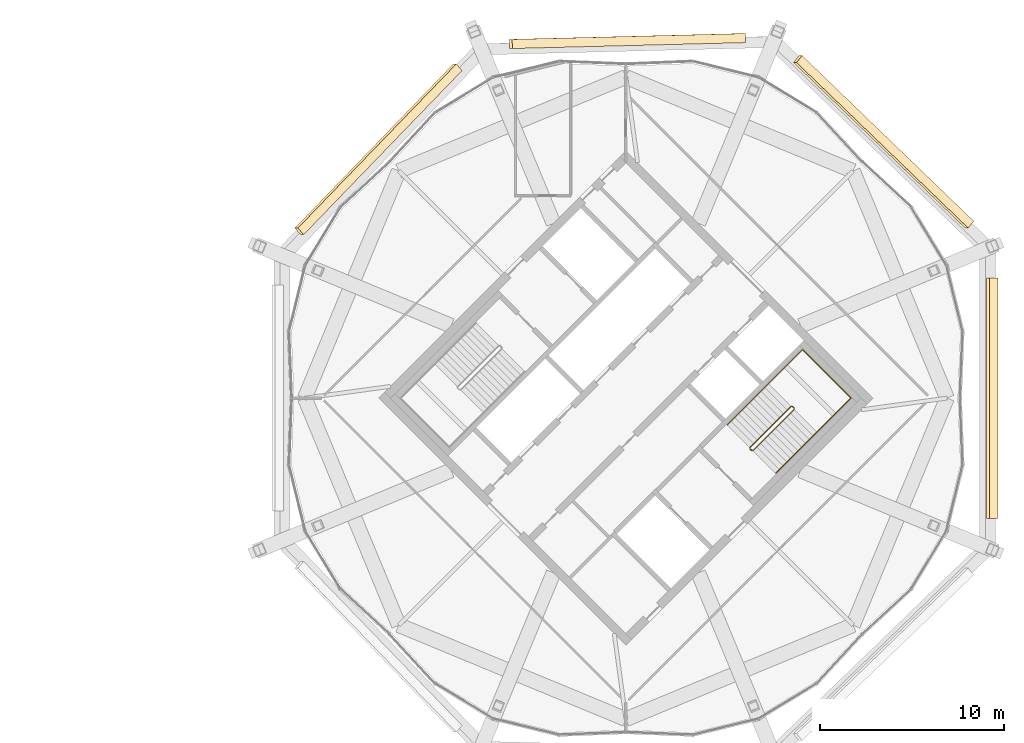
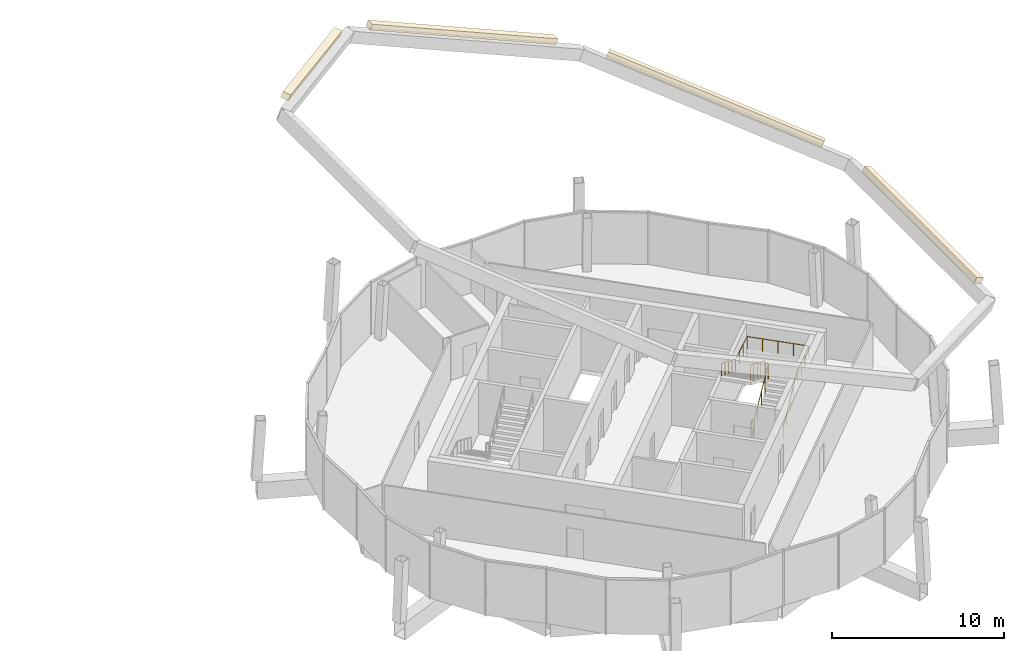
# One storey, part 34 of 34: 4 coverings, 2 railings.
"""IFC4 building model written with IfcOpenShell, lengths in metres."""

from ifc_helpers import new_model, si_unit, direction, frame, origin, origin_2d, place, context, subcontext, project, spatial, rectangle, circle, extrude, material, material_profile, profile_set, type_object, element, save


model = new_model("IFC4")

# Units and contexts
model_context = context("Model", 3, precision=1e-05, world=origin(), true_north=direction((0.0, 1.0)))
body_context = subcontext(model_context, "Body", "Model", "MODEL_VIEW")
ifc_project = project(units=[si_unit("LENGTHUNIT", "METRE"), si_unit("AREAUNIT", "SQUARE_METRE"), si_unit("VOLUMEUNIT", "CUBIC_METRE"), si_unit("PLANEANGLEUNIT", "RADIAN"), si_unit("MASSUNIT", "GRAM", prefix="KILO")], contexts=[model_context])

# Site, building, storey
site_placement = place(None, origin())
site = spatial("IfcSite", under=ifc_project, at=site_placement, CompositionType="ELEMENT")
building_placement = place(site_placement, origin())
building = spatial("IfcBuilding", under=site, at=building_placement, Name="Ogive Gate Towers", CompositionType="ELEMENT")
storey_placement = place(building_placement, frame((0.0, 0.0, 294.0)))
storey = spatial("IfcBuildingStorey", under=building, at=storey_placement, Name="L69", CompositionType="ELEMENT", Elevation=294.0)

# Coverings
ifc_material_1 = material(Name="Cast stone", Category="masonry")
ifc_material_profile = material_profile(ifc_material_1, rectangle(XDim=0.5, YDim=0.39990234375, at=origin_2d()), Name="500 x 400 cast stone")
ifc_profile_set = profile_set([ifc_material_profile], Name="Cast stone")
covering_type = type_object("IfcCoveringType", Name="Crown cornice 500 x 400", PredefinedType="CLADDING", material=ifc_profile_set)
covering_1_placement = place(storey_placement, frame((54.6748046875, 9.43115234375, 9.364501953125), z_axis=(-0.685199358408, 0.660709384218, 0.306537026873), x_axis=(0.603105125089, 0.750641798456, -0.269816786918)))
element("IfcCovering", 1, at=covering_1_placement, inside=storey, type_object=covering_type, Name="Crown cornice", PredefinedType="CLADDING", context=body_context, shape_type="SweptSolid", body=[
    extrude(rectangle(XDim=0.5, YDim=0.39990234375, at=origin_2d()), origin(), (0.0, 0.0, 1.0), 13.61767578125),
])
covering_2_placement = place(storey_placement, frame((42.4130859375, 19.568603515625, 14.85009765625), z_axis=(-0.912579006378, -0.023066323547, 0.408249313332), x_axis=(-0.021056929922, 0.999733936958, 0.009415996893)))
element("IfcCovering", 2, at=covering_2_placement, inside=storey, type_object=covering_type, Name="Crown cornice", PredefinedType="CLADDING", context=body_context, shape_type="SweptSolid", body=[
    extrude(rectangle(XDim=0.5, YDim=0.39990234375, at=origin_2d()), origin(), (0.0, 0.0, 1.0), 13.886474609375),
])
covering_3_placement = place(storey_placement, frame((26.856201171875, 17.98046875, 21.809814453125), z_axis=(-0.663296177805, -0.687016902692, 0.296725388069), x_axis=(-0.627119673636, 0.72664143516, 0.280558620696)))
element("IfcCovering", 3, at=covering_3_placement, inside=storey, type_object=covering_type, Name="Crown cornice", PredefinedType="CLADDING", context=body_context, shape_type="SweptSolid", body=[
    extrude(rectangle(XDim=0.5, YDim=0.39990234375, at=origin_2d()), origin(), (0.0, 0.0, 1.0), 12.978515625),
])
covering_4_placement = place(storey_placement, frame((55.903076171875, -6.54052734375, 8.815185546875), z_axis=(0.0, 1.0, 0.0), x_axis=(0.912819923255, 0.0, -0.408362324056)))
element("IfcCovering", 4, at=covering_4_placement, inside=storey, type_object=covering_type, Name="Crown cornice", PredefinedType="CLADDING", context=body_context, shape_type="SweptSolid", body=[
    extrude(rectangle(XDim=0.5, YDim=0.39990234375, at=origin_2d()), origin(), (0.0, 0.0, 1.0), 13.0810546875),
])

# Railings
ifc_material_2 = material(Name="Stainless steel", Category="steel")
railing_type_1 = type_object("IfcRailingType", Name="Stair guard 1100", PredefinedType="GUARDRAIL", material=ifc_material_2)
railing_1_placement = place(storey_placement, frame((42.84130859375, -2.8603515625, 0.0)))
element("IfcRailing", 5, at=railing_1_placement, inside=storey, type_object=railing_type_1, Name="L69 ST2 stair guard 1", PredefinedType="GUARDRAIL", context=body_context, shape_type="SweptSolid", body=[
    extrude(circle(Radius=0.02392578125, at=origin_2d()), frame((0.0, 0.0, 1.076171875), z_axis=(-0.707106781187, 0.707106781187, 0.0), x_axis=(-0.707106781187, -0.707106781187, 0.0)), (0.0, 0.0, 1.0), 0.14501953125),
    extrude(circle(Radius=0.02392578125, at=origin_2d()), frame((-0.1025390625, 0.1025390625, 1.076171875), z_axis=(0.662423024494, -0.39240856176, 0.638131065909), x_axis=(0.509669330572, 0.860370369942, 0.0)), (0.0, 0.0, 1.0), 0.26123046875),
    extrude(circle(Radius=0.02392578125, at=origin_2d()), frame((0.070556640625, 0.0, 1.24267578125), z_axis=(0.611760273834, 0.611760273834, 0.50149649522), x_axis=(-0.707106781187, 0.707106781187, 0.0)), (0.0, 0.0, 1.0), 3.655517578125),
    extrude(circle(Radius=0.02392578125, at=origin_2d()), frame((2.306884765625, 2.236328125, 3.076171875), z_axis=(0.0, 1.0, 0.0), x_axis=(-1.0, 0.0, 0.0)), (0.0, 0.0, 1.0), 0.07080078125),
    extrude(circle(Radius=0.02392578125, at=origin_2d()), frame((2.306884765625, 2.30712890625, 3.076171875), z_axis=(-0.707106781187, 0.707106781187, 0.0), x_axis=(-0.707106781187, -0.707106781187, 0.0)), (0.0, 0.0, 1.0), 0.14501953125),
    extrude(circle(Radius=0.02392578125, at=origin_2d()), frame((2.204345703125, 2.40966796875, 3.076171875), z_axis=(-0.39082670629, 0.0, 0.920464277227), x_axis=(0.0, -1.0, 0.0)), (0.0, 0.0, 1.0), 0.18115234375),
    extrude(circle(Radius=0.02392578125, at=origin_2d()), frame((2.133544921875, 2.40966796875, 3.24267578125), z_axis=(-0.61171847994, -0.611785268725, 0.501516985028), x_axis=(0.707145379772, -0.707068180494, 0.0)), (0.0, 0.0, 1.0), 3.655517578125),
    extrude(circle(Radius=0.02099609375, at=origin_2d()), origin(), (0.0, 0.0, 1.0), 1.052001953125),
    extrude(circle(Radius=0.02099609375, at=origin_2d()), frame((-0.1025390625, 0.1025390625, 0.0)), (0.0, 0.0, 1.0), 1.052001953125),
    extrude(circle(Radius=0.02099609375, at=origin_2d()), frame((0.070556640625, 0.0, 0.166748046875)), (0.0, 0.0, 1.0), 1.052001953125),
    extrude(circle(Radius=0.02099609375, at=origin_2d()), frame((0.629638671875, 0.55908203125, 0.625)), (0.0, 0.0, 1.0), 1.052001953125),
    extrude(circle(Radius=0.02099609375, at=origin_2d()), frame((1.188720703125, 1.1181640625, 1.08349609375)), (0.0, 0.0, 1.0), 1.052001953125),
    extrude(circle(Radius=0.02099609375, at=origin_2d()), frame((1.747802734375, 1.67724609375, 1.541748046875)), (0.0, 0.0, 1.0), 1.052001953125),
    extrude(circle(Radius=0.02099609375, at=origin_2d()), frame((2.306884765625, 2.236328125, 2.0)), (0.0, 0.0, 1.0), 1.052001953125),
    extrude(circle(Radius=0.02099609375, at=origin_2d()), frame((2.306884765625, 2.30712890625, 2.0)), (0.0, 0.0, 1.0), 1.052001953125),
    extrude(circle(Radius=0.02099609375, at=origin_2d()), frame((2.204345703125, 2.40966796875, 2.0)), (0.0, 0.0, 1.0), 1.052001953125),
    extrude(circle(Radius=0.02099609375, at=origin_2d()), frame((2.133544921875, 2.40966796875, 2.166748046875)), (0.0, 0.0, 1.0), 1.052001953125),
    extrude(circle(Radius=0.02099609375, at=origin_2d()), frame((1.574462890625, 1.8505859375, 2.625)), (0.0, 0.0, 1.0), 1.052001953125),
    extrude(circle(Radius=0.02099609375, at=origin_2d()), frame((1.015625, 1.29150390625, 3.08349609375)), (0.0, 0.0, 1.0), 1.052001953125),
    extrude(circle(Radius=0.02099609375, at=origin_2d()), frame((0.45654296875, 0.732421875, 3.541748046875)), (0.0, 0.0, 1.0), 1.052001953125),
    extrude(circle(Radius=0.02099609375, at=origin_2d()), frame((-0.1025390625, 0.17333984375, 4.0)), (0.0, 0.0, 1.0), 1.052001953125),
])
railing_type_2 = type_object("IfcRailingType", Name="Stair handrail 900", PredefinedType="HANDRAIL", material=ifc_material_2)
railing_2_placement = place(storey_placement, frame((44.142333984375, -4.090576171875, 0.166748046875)))
element("IfcRailing", 6, at=railing_2_placement, inside=storey, type_object=railing_type_2, Name="L69 ST2 stair handrail 1", PredefinedType="HANDRAIL", context=body_context, shape_type="SweptSolid", body=[
    extrude(circle(Radius=0.02392578125, at=origin_2d()), frame((0.0, 0.0, 0.8759765625), z_axis=(0.611785268725, 0.61171847994, 0.501516985028), x_axis=(-0.707068180494, 0.707145379772, 0.0)), (0.0, 0.0, 1.0), 3.655517578125),
    extrude(circle(Radius=0.02392578125, at=origin_2d()), frame((2.236328125, 2.236083984375, 2.708984375), z_axis=(0.70706023191, 0.707153327399, 0.0), x_axis=(-0.707153327399, 0.70706023191, 0.0)), (0.0, 0.0, 1.0), 2.62255859375),
    extrude(circle(Radius=0.02392578125, at=origin_2d()), frame((4.090576171875, 4.090576171875, 2.708984375), z_axis=(-0.707106781187, 0.707106781187, 0.0), x_axis=(-0.707106781187, -0.707106781187, 0.0)), (0.0, 0.0, 1.0), 3.72509765625),
    extrude(circle(Radius=0.02392578125, at=origin_2d()), frame((1.45654296875, 6.724609375, 2.708984375), z_axis=(-0.705635245741, -0.705728153607, 0.06345607279), x_axis=(0.707153327399, -0.70706023191, 0.0)), (0.0, 0.0, 1.0), 2.627685546875),
    extrude(circle(Radius=0.02392578125, at=origin_2d()), frame((-0.397705078125, 4.8701171875, 2.8759765625), z_axis=(-0.611785268725, -0.61171847994, 0.501516985028), x_axis=(0.707068180494, -0.707145379772, 0.0)), (0.0, 0.0, 1.0), 3.655517578125),
    extrude(circle(Radius=0.02099609375, at=origin_2d()), origin(), (0.0, 0.0, 1.0), 0.851806640625),
    extrude(circle(Radius=0.02099609375, at=origin_2d()), frame((0.55908203125, 0.55908203125, 0.458251953125)), (0.0, 0.0, 1.0), 0.851806640625),
    extrude(circle(Radius=0.02099609375, at=origin_2d()), frame((1.1181640625, 1.1181640625, 0.91650390625)), (0.0, 0.0, 1.0), 0.851806640625),
    extrude(circle(Radius=0.02099609375, at=origin_2d()), frame((1.67724609375, 1.677001953125, 1.375)), (0.0, 0.0, 1.0), 0.851806640625),
    extrude(circle(Radius=0.02099609375, at=origin_2d()), frame((2.236328125, 2.236083984375, 1.833251953125)), (0.0, 0.0, 1.0), 0.851806640625),
    extrude(circle(Radius=0.02099609375, at=origin_2d()), frame((2.8544921875, 2.854248046875, 1.833251953125)), (0.0, 0.0, 1.0), 0.851806640625),
    extrude(circle(Radius=0.02099609375, at=origin_2d()), frame((3.472412109375, 3.472412109375, 1.833251953125)), (0.0, 0.0, 1.0), 0.851806640625),
    extrude(circle(Radius=0.02099609375, at=origin_2d()), frame((4.090576171875, 4.090576171875, 1.833251953125)), (0.0, 0.0, 1.0), 0.851806640625),
    extrude(circle(Radius=0.02099609375, at=origin_2d()), frame((3.43212890625, 4.7490234375, 1.833251953125)), (0.0, 0.0, 1.0), 0.851806640625),
    extrude(circle(Radius=0.02099609375, at=origin_2d()), frame((2.7734375, 5.40771484375, 1.833251953125)), (0.0, 0.0, 1.0), 0.851806640625),
    extrude(circle(Radius=0.02099609375, at=origin_2d()), frame((2.114990234375, 6.066162109375, 1.833251953125)), (0.0, 0.0, 1.0), 0.851806640625),
    extrude(circle(Radius=0.02099609375, at=origin_2d()), frame((1.45654296875, 6.724609375, 1.833251953125)), (0.0, 0.0, 1.0), 0.851806640625),
    extrude(circle(Radius=0.02099609375, at=origin_2d()), frame((0.83837890625, 6.1064453125, 1.888916015625)), (0.0, 0.0, 1.0), 0.851806640625),
    extrude(circle(Radius=0.02099609375, at=origin_2d()), frame((0.220458984375, 5.48828125, 1.9443359375)), (0.0, 0.0, 1.0), 0.851806640625),
    extrude(circle(Radius=0.02099609375, at=origin_2d()), frame((-0.397705078125, 4.8701171875, 2.0)), (0.0, 0.0, 1.0), 0.851806640625),
    extrude(circle(Radius=0.02099609375, at=origin_2d()), frame((-0.956787109375, 4.31103515625, 2.458251953125)), (0.0, 0.0, 1.0), 0.851806640625),
    extrude(circle(Radius=0.02099609375, at=origin_2d()), frame((-1.515869140625, 3.751953125, 2.91650390625)), (0.0, 0.0, 1.0), 0.851806640625),
    extrude(circle(Radius=0.02099609375, at=origin_2d()), frame((-2.074951171875, 3.193115234375, 3.375)), (0.0, 0.0, 1.0), 0.851806640625),
    extrude(circle(Radius=0.02099609375, at=origin_2d()), frame((-2.634033203125, 2.634033203125, 3.833251953125)), (0.0, 0.0, 1.0), 0.851806640625),
])

save(model, "model.ifc")
